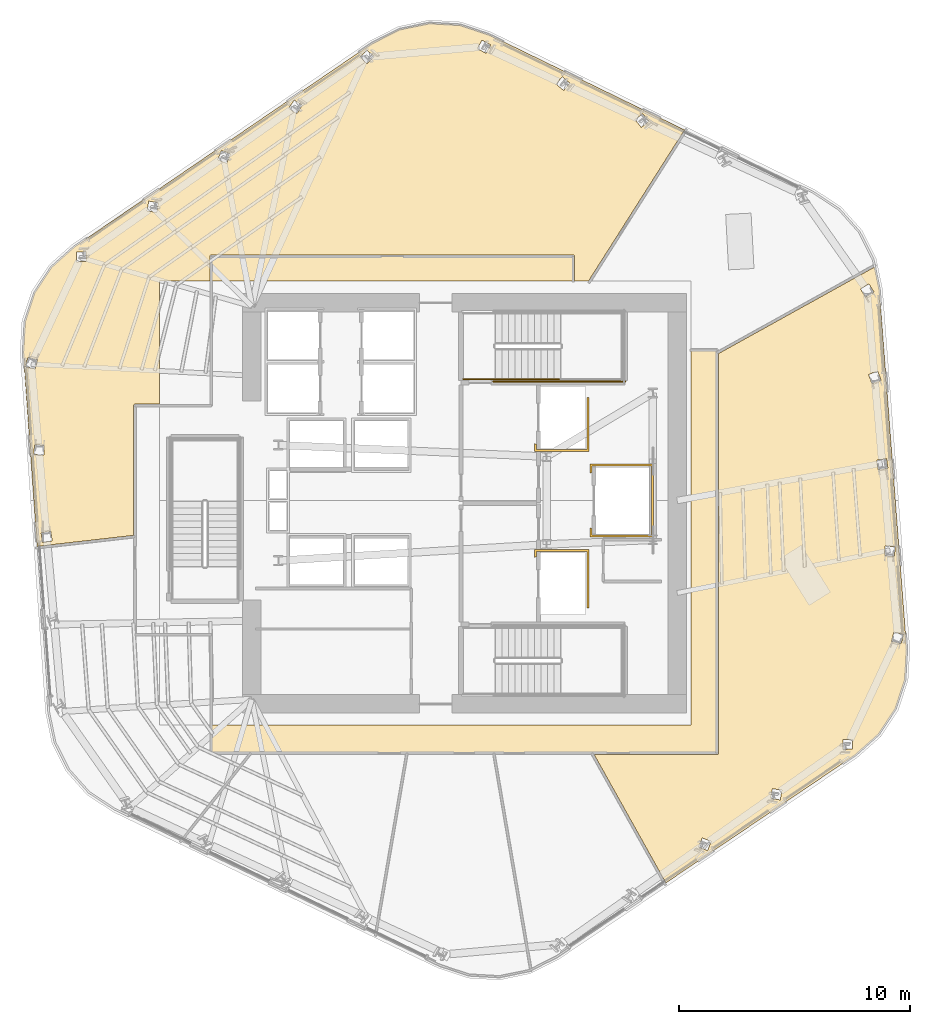
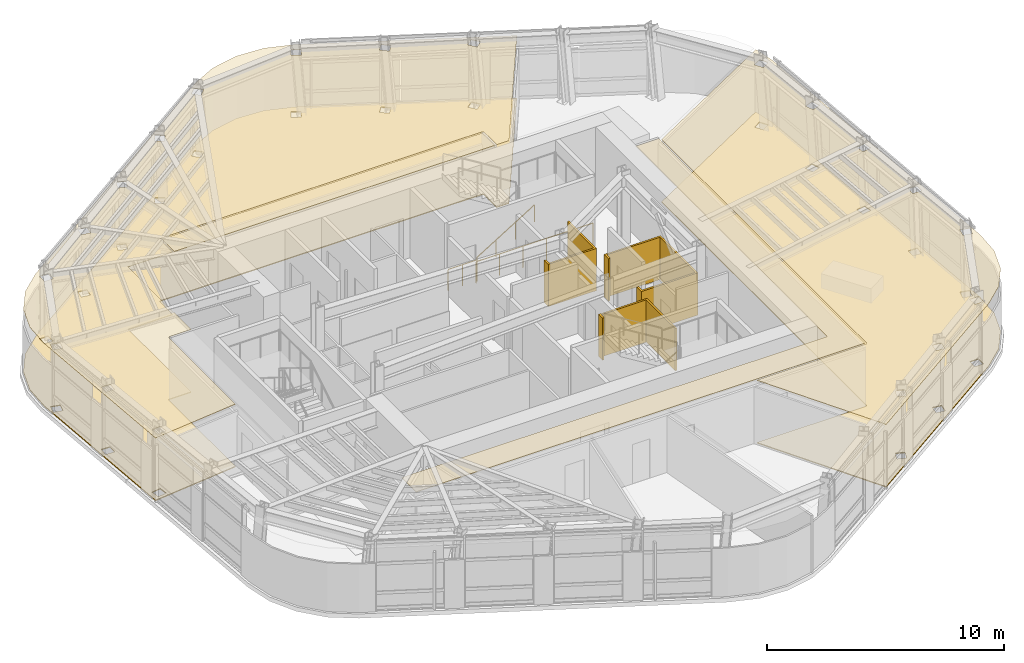
# One storey, part 12 of 15: 9 coverings, 3 railings.
"""IFC4 building model written with IfcOpenShell, lengths in metres."""

from ifc_helpers import new_model, si_unit, direction, frame, origin, origin_2d, place, context, subcontext, project, spatial, polyline, circle, outline, extrude, material, layer, layer_set, type_object, element, save


model = new_model("IFC4")

# Units and contexts
model_context = context("Model", 3, precision=1e-05, world=origin(), true_north=direction((0.0, 1.0)))
body_context = subcontext(model_context, "Body", "Model", "MODEL_VIEW")
ifc_project = project(units=[si_unit("LENGTHUNIT", "METRE"), si_unit("AREAUNIT", "SQUARE_METRE"), si_unit("VOLUMEUNIT", "CUBIC_METRE"), si_unit("PLANEANGLEUNIT", "RADIAN"), si_unit("MASSUNIT", "GRAM", prefix="KILO")], contexts=[model_context])

# Site, building, storey
site_placement = place(None, origin())
site = spatial("IfcSite", under=ifc_project, at=site_placement, CompositionType="ELEMENT")
building_placement = place(site_placement, origin())
building = spatial("IfcBuilding", under=site, at=building_placement, Name="Valkerne Bourse Tower", CompositionType="ELEMENT")
storey_placement = place(building_placement, frame((0.0, 0.0, 170.39990234375)))
storey = spatial("IfcBuildingStorey", under=building, at=storey_placement, Name="L43", CompositionType="ELEMENT", Elevation=170.39990234375)

# Coverings
ifc_material_1 = material(Name="Mineral Fiber Acoustic Ceiling Tile", Category="acoustic")
ifc_layer_1 = layer(ifc_material_1, 0.02490234375)
ifc_layer_set_1 = layer_set([ifc_layer_1], Name="Mineral Fiber Acoustic Ceiling Tile")
covering_type_1 = type_object("IfcCoveringType", Name="COV-CEIL-ACT", PredefinedType="CEILING", material=ifc_layer_set_1)
covering_1_placement = place(storey_placement, frame((0.0, 0.0, 3.22998046875)))
element("IfcCovering", 1, at=covering_1_placement, inside=storey, type_object=covering_type_1, Name="L43 Suspended Ceiling 09", PredefinedType="CEILING", context=body_context, shape_type="SweptSolid", body=[
    extrude(outline(polyline([(64.70947265625, 16.88916015625), (63.71728515625, 16.005126953125), (55.51171875, 10.459716796875), (52.4091796875, 16.010986328125), (57.720458984375, 16.010986328125), (57.755126953125, 16.0205078125), (57.779541015625, 16.044921875), (57.7890625, 16.07958984375), (57.7890625, 33.358154296875), (64.5400390625, 37.101318359375), (64.741943359375, 36.126708984375), (65.9248046875, 20.571533203125), (65.84814453125, 19.244873046875), (65.433837890625, 17.991943359375), (64.70947265625, 16.88916015625)]), holes=[polyline([(57.31640625, 11.860595703125), (57.46875, 12.256103515625), (57.082763671875, 12.406005859375), (57.080810546875, 12.404541015625), (56.92822265625, 12.009033203125), (57.314208984375, 11.859130859375), (57.31640625, 11.860595703125)]), polyline([(60.459228515625, 14.0517578125), (60.528076171875, 14.4697265625), (60.11962890625, 14.5380859375), (60.117919921875, 14.5361328125), (60.049072265625, 14.117919921875), (60.45751953125, 14.0498046875), (60.459228515625, 14.0517578125)]), polyline([(63.592041015625, 16.24951171875), (63.580810546875, 16.673095703125), (63.1669921875, 16.6630859375), (63.165283203125, 16.660888671875), (63.176513671875, 16.2373046875), (63.590576171875, 16.2470703125), (63.592041015625, 16.24951171875)]), polyline([(65.78369140625, 21.209716796875), (65.37109375, 21.310546875), (65.3701171875, 21.3076171875), (65.2724609375, 20.906494140625), (65.684814453125, 20.8056640625), (65.685791015625, 20.80859375), (65.78369140625, 21.209716796875)]), polyline([(65.423828125, 25.01171875), (65.0, 25.033203125), (64.99951171875, 25.030517578125), (64.97900390625, 24.617919921875), (65.40283203125, 24.596435546875), (65.4033203125, 24.59912109375), (65.423828125, 25.01171875)]), polyline([(65.116455078125, 28.398681640625), (65.1162109375, 28.4013671875), (65.052490234375, 28.809814453125), (64.633056640625, 28.744384765625), (64.63330078125, 28.74169921875), (64.697021484375, 28.33349609375), (65.116455078125, 28.398681640625)]), polyline([(64.81982421875, 32.208251953125), (64.819091796875, 32.2109375), (64.673828125, 32.59765625), (64.2763671875, 32.448486328125), (64.277099609375, 32.44580078125), (64.42236328125, 32.05908203125), (64.81982421875, 32.208251953125)]), polyline([(64.510986328125, 36.018310546875), (64.509765625, 36.020751953125), (64.29443359375, 36.373291015625), (63.931884765625, 36.152099609375), (63.93310546875, 36.149658203125), (64.148681640625, 35.797119140625), (64.510986328125, 36.018310546875)])]), origin(), (0.0, 0.0, 1.0), 0.025146484375),
])
covering_2_placement = place(storey_placement, frame((0.0, 0.0, 3.22998046875)))
element("IfcCovering", 2, at=covering_2_placement, inside=storey, type_object=covering_type_1, Name="L43 Suspended Ceiling 10", PredefinedType="CEILING", context=body_context, shape_type="SweptSolid", body=[
    extrude(outline(polyline([(28.208251953125, 35.98779296875), (28.9326171875, 37.090576171875), (29.925048828125, 37.974853515625), (42.804931640625, 46.77685546875), (43.9921875, 47.373779296875), (45.2841796875, 47.641357421875), (46.6015625, 47.5654296875), (47.86328125, 47.148193359375), (56.320556640625, 43.03271484375), (52.168212890625, 36.5), (51.569091796875, 36.5), (51.56884765625, 37.564697265625), (51.547119140625, 37.61083984375), (51.50439453125, 37.62890625), (35.849365234375, 37.62890625), (35.809326171875, 37.615966796875), (35.787841796875, 37.590087890625), (35.781005859375, 37.560546875), (35.781005859375, 36.5), (33.60009765625, 36.5), (33.60009765625, 31.1689453125), (32.549560546875, 31.1689453125), (32.514892578125, 31.15966796875), (32.490478515625, 31.135009765625), (32.48095703125, 31.1005859375), (32.48095703125, 25.4931640625), (28.3115234375, 25.01708984375), (27.71728515625, 33.40771484375), (27.793701171875, 34.73486328125), (28.208251953125, 35.98779296875)]), holes=[polyline([(28.966796875, 25.25830078125), (28.903076171875, 25.66650390625), (28.4833984375, 25.601318359375), (28.483642578125, 25.5986328125), (28.54736328125, 25.190185546875), (28.967041015625, 25.255615234375), (28.966796875, 25.25830078125)]), polyline([(28.62109375, 29.382080078125), (28.197021484375, 29.403564453125), (28.19677734375, 29.40087890625), (28.176025390625, 28.98828125), (28.60009765625, 28.966796875), (28.6005859375, 28.969482421875), (28.62109375, 29.382080078125)]), polyline([(28.327392578125, 33.093505859375), (27.9150390625, 33.1943359375), (27.914306640625, 33.19140625), (27.81640625, 32.790283203125), (28.22900390625, 32.689453125), (28.229736328125, 32.6923828125), (28.327392578125, 33.093505859375)]), polyline([(30.434814453125, 37.339111328125), (30.42333984375, 37.7626953125), (30.009521484375, 37.7529296875), (30.008056640625, 37.75048828125), (30.019287109375, 37.326904296875), (30.43310546875, 37.3369140625), (30.434814453125, 37.339111328125)]), polyline([(33.55078125, 39.882080078125), (33.142578125, 39.9501953125), (33.140625, 39.9482421875), (33.072021484375, 39.5302734375), (33.480224609375, 39.4619140625), (33.482177734375, 39.4638671875), (33.55078125, 39.882080078125)]), polyline([(36.519287109375, 41.595458984375), (36.671875, 41.990966796875), (36.285888671875, 42.140869140625), (36.28369140625, 42.139404296875), (36.131103515625, 41.743896484375), (36.51708984375, 41.593994140625), (36.519287109375, 41.595458984375)]), polyline([(54.771484375, 43.4033203125), (54.506103515625, 43.733642578125), (54.503662109375, 43.73486328125), (54.181396484375, 43.474609375), (54.44677734375, 43.144287109375), (54.44921875, 43.143310546875), (54.771484375, 43.4033203125)]), polyline([(39.5517578125, 43.73828125), (39.781494140625, 44.094482421875), (39.43408203125, 44.31982421875), (39.431640625, 44.31884765625), (39.201904296875, 43.962646484375), (39.54931640625, 43.7373046875), (39.5517578125, 43.73828125)]), polyline([(51.02880859375, 45.328857421875), (51.02587890625, 45.32958984375), (50.763427734375, 45.00927734375), (51.09033203125, 44.739990234375), (51.093017578125, 44.7392578125), (51.355712890625, 45.0595703125), (51.02880859375, 45.328857421875)]), polyline([(42.878662109375, 46.2001953125), (42.580078125, 46.48681640625), (42.577392578125, 46.486328125), (42.284912109375, 46.1796875), (42.58349609375, 45.89306640625), (42.586181640625, 45.893798828125), (42.878662109375, 46.2001953125)]), polyline([(47.55712890625, 46.91357421875), (47.55419921875, 46.91357421875), (47.356689453125, 46.5498046875), (47.728271484375, 46.3466796875), (47.731201171875, 46.346435546875), (47.9287109375, 46.71044921875), (47.55712890625, 46.91357421875)])]), origin(), (0.0, 0.0, 1.0), 0.025146484375),
])
ifc_material_2 = material(Name="Bronze Anodised Aluminium AA 6063-T6", Category="aluminium")
ifc_layer_2 = layer(ifc_material_2, 0.030029296875)
ifc_layer_set_2 = layer_set([ifc_layer_2], Name="Bronze Anodised Aluminium AA 6063-T6")
covering_type_2 = type_object("IfcCoveringType", Name="COV-CEIL-METAL", PredefinedType="CEILING", material=ifc_layer_set_2)
covering_3_placement = place(storey_placement, frame((0.0, 0.0, 3.22998046875)))
element("IfcCovering", 3, at=covering_3_placement, inside=storey, type_object=covering_type_2, Name="L43 Suspended Ceiling 01", PredefinedType="CEILING", context=body_context, shape_type="SweptSolid", body=[
    extrude(outline(polyline([(35.85400390625, 17.300048828125), (56.60009765625, 17.300048828125), (56.60009765625, 33.49609375), (57.716064453125, 33.49609375), (57.716064453125, 16.083984375), (35.85400390625, 16.083984375), (35.85400390625, 17.300048828125)])), origin(), (0.0, 0.0, 1.0), 0.025146484375),
])
covering_4_placement = place(storey_placement, frame((0.0, 0.0, 3.22998046875)))
element("IfcCovering", 4, at=covering_4_placement, inside=storey, type_object=covering_type_2, Name="L43 Suspended Ceiling 03", PredefinedType="CEILING", context=body_context, shape_type="SweptSolid", body=[
    extrude(outline(polyline([(35.85400390625, 37.555908203125), (51.49609375, 37.555908203125), (51.49609375, 36.5), (35.85400390625, 36.5), (35.85400390625, 37.555908203125)])), origin(), (0.0, 0.0, 1.0), 0.025146484375),
])
ifc_material_3 = material(Name="Galvanised Painted Steel", Category="steel")
ifc_layer_3 = layer(ifc_material_3, 0.044921875)
ifc_layer_set_3 = layer_set([ifc_layer_3], Name="Galvanised Painted Steel")
covering_type_3 = type_object("IfcCoveringType", Name="COV-FLR-RAF", PredefinedType="FLOORING", material=ifc_layer_set_3)
covering_5_placement = place(storey_placement, origin())
element("IfcCovering", 5, at=covering_5_placement, inside=storey, type_object=covering_type_3, Name="L43 Floor Finish 09", PredefinedType="FLOORING", context=body_context, shape_type="SweptSolid", body=[
    extrude(outline(polyline([(64.70947265625, 16.88916015625), (63.71728515625, 16.005126953125), (55.51171875, 10.459716796875), (52.4091796875, 16.010986328125), (57.720458984375, 16.010986328125), (57.755126953125, 16.0205078125), (57.779541015625, 16.044921875), (57.7890625, 16.07958984375), (57.7890625, 33.358154296875), (64.5400390625, 37.101318359375), (64.741943359375, 36.126708984375), (65.9248046875, 20.571533203125), (65.84814453125, 19.244873046875), (65.433837890625, 17.991943359375), (64.70947265625, 16.88916015625)]), holes=[polyline([(57.31640625, 11.860595703125), (57.46875, 12.256103515625), (57.082763671875, 12.406005859375), (57.080810546875, 12.404541015625), (56.92822265625, 12.009033203125), (57.314208984375, 11.859130859375), (57.31640625, 11.860595703125)]), polyline([(60.459228515625, 14.0517578125), (60.528076171875, 14.4697265625), (60.11962890625, 14.5380859375), (60.117919921875, 14.5361328125), (60.049072265625, 14.117919921875), (60.45751953125, 14.0498046875), (60.459228515625, 14.0517578125)]), polyline([(63.592041015625, 16.24951171875), (63.580810546875, 16.673095703125), (63.1669921875, 16.6630859375), (63.165283203125, 16.660888671875), (63.176513671875, 16.2373046875), (63.590576171875, 16.2470703125), (63.592041015625, 16.24951171875)]), polyline([(65.78369140625, 21.209716796875), (65.37109375, 21.310546875), (65.3701171875, 21.3076171875), (65.2724609375, 20.906494140625), (65.684814453125, 20.8056640625), (65.685791015625, 20.80859375), (65.78369140625, 21.209716796875)]), polyline([(65.423828125, 25.01171875), (65.0, 25.033203125), (64.99951171875, 25.030517578125), (64.97900390625, 24.617919921875), (65.40283203125, 24.596435546875), (65.4033203125, 24.59912109375), (65.423828125, 25.01171875)]), polyline([(65.116455078125, 28.398681640625), (65.1162109375, 28.4013671875), (65.052490234375, 28.809814453125), (64.633056640625, 28.744384765625), (64.63330078125, 28.74169921875), (64.697021484375, 28.33349609375), (65.116455078125, 28.398681640625)]), polyline([(64.81982421875, 32.208251953125), (64.819091796875, 32.2109375), (64.673828125, 32.59765625), (64.2763671875, 32.448486328125), (64.277099609375, 32.44580078125), (64.42236328125, 32.05908203125), (64.81982421875, 32.208251953125)]), polyline([(64.510986328125, 36.018310546875), (64.509765625, 36.020751953125), (64.29443359375, 36.373291015625), (63.931884765625, 36.152099609375), (63.93310546875, 36.149658203125), (64.148681640625, 35.797119140625), (64.510986328125, 36.018310546875)])]), origin(), (0.0, 0.0, 1.0), 0.045166015625),
])
covering_6_placement = place(storey_placement, origin())
element("IfcCovering", 6, at=covering_6_placement, inside=storey, type_object=covering_type_3, Name="L43 Floor Finish 10", PredefinedType="FLOORING", context=body_context, shape_type="SweptSolid", body=[
    extrude(outline(polyline([(28.208251953125, 35.98779296875), (28.9326171875, 37.090576171875), (29.925048828125, 37.974853515625), (42.804931640625, 46.77685546875), (43.9921875, 47.373779296875), (45.2841796875, 47.641357421875), (46.6015625, 47.5654296875), (47.86328125, 47.148193359375), (56.320556640625, 43.03271484375), (52.168212890625, 36.5), (51.569091796875, 36.5), (51.56884765625, 37.564697265625), (51.547119140625, 37.61083984375), (51.50439453125, 37.62890625), (35.849365234375, 37.62890625), (35.809326171875, 37.615966796875), (35.787841796875, 37.590087890625), (35.781005859375, 37.560546875), (35.781005859375, 36.5), (33.60009765625, 36.5), (33.60009765625, 31.1689453125), (32.549560546875, 31.1689453125), (32.514892578125, 31.15966796875), (32.490478515625, 31.135009765625), (32.48095703125, 31.1005859375), (32.48095703125, 25.4931640625), (28.3115234375, 25.01708984375), (27.71728515625, 33.40771484375), (27.793701171875, 34.73486328125), (28.208251953125, 35.98779296875)]), holes=[polyline([(28.966796875, 25.25830078125), (28.903076171875, 25.66650390625), (28.4833984375, 25.601318359375), (28.483642578125, 25.5986328125), (28.54736328125, 25.190185546875), (28.967041015625, 25.255615234375), (28.966796875, 25.25830078125)]), polyline([(28.62109375, 29.382080078125), (28.197021484375, 29.403564453125), (28.19677734375, 29.40087890625), (28.176025390625, 28.98828125), (28.60009765625, 28.966796875), (28.6005859375, 28.969482421875), (28.62109375, 29.382080078125)]), polyline([(28.327392578125, 33.093505859375), (27.9150390625, 33.1943359375), (27.914306640625, 33.19140625), (27.81640625, 32.790283203125), (28.22900390625, 32.689453125), (28.229736328125, 32.6923828125), (28.327392578125, 33.093505859375)]), polyline([(30.434814453125, 37.339111328125), (30.42333984375, 37.7626953125), (30.009521484375, 37.7529296875), (30.008056640625, 37.75048828125), (30.019287109375, 37.326904296875), (30.43310546875, 37.3369140625), (30.434814453125, 37.339111328125)]), polyline([(33.55078125, 39.882080078125), (33.142578125, 39.9501953125), (33.140625, 39.9482421875), (33.072021484375, 39.5302734375), (33.480224609375, 39.4619140625), (33.482177734375, 39.4638671875), (33.55078125, 39.882080078125)]), polyline([(36.519287109375, 41.595458984375), (36.671875, 41.990966796875), (36.285888671875, 42.140869140625), (36.28369140625, 42.139404296875), (36.131103515625, 41.743896484375), (36.51708984375, 41.593994140625), (36.519287109375, 41.595458984375)]), polyline([(54.771484375, 43.4033203125), (54.506103515625, 43.733642578125), (54.503662109375, 43.73486328125), (54.181396484375, 43.474609375), (54.44677734375, 43.144287109375), (54.44921875, 43.143310546875), (54.771484375, 43.4033203125)]), polyline([(39.5517578125, 43.73828125), (39.781494140625, 44.094482421875), (39.43408203125, 44.31982421875), (39.431640625, 44.31884765625), (39.201904296875, 43.962646484375), (39.54931640625, 43.7373046875), (39.5517578125, 43.73828125)]), polyline([(51.02880859375, 45.328857421875), (51.02587890625, 45.32958984375), (50.763427734375, 45.00927734375), (51.09033203125, 44.739990234375), (51.093017578125, 44.7392578125), (51.355712890625, 45.0595703125), (51.02880859375, 45.328857421875)]), polyline([(42.878662109375, 46.2001953125), (42.580078125, 46.48681640625), (42.577392578125, 46.486328125), (42.284912109375, 46.1796875), (42.58349609375, 45.89306640625), (42.586181640625, 45.893798828125), (42.878662109375, 46.2001953125)]), polyline([(47.55712890625, 46.91357421875), (47.55419921875, 46.91357421875), (47.356689453125, 46.5498046875), (47.728271484375, 46.3466796875), (47.731201171875, 46.346435546875), (47.9287109375, 46.71044921875), (47.55712890625, 46.91357421875)])]), origin(), (0.0, 0.0, 1.0), 0.045166015625),
])
ifc_material_4 = material(Name="Gypsum Shaftwall Liner Board", Category="gypsum")
ifc_layer_4 = layer(ifc_material_4, 0.080078125)
ifc_layer_set_4 = layer_set([ifc_layer_4], Name="Gypsum Shaftwall Liner Board")
covering_type_4 = type_object("IfcCoveringType", Name="COV-SHF-CLAD", PredefinedType="CLADDING", material=ifc_layer_set_4)
covering_7_placement = place(storey_placement, origin())
element("IfcCovering", 7, at=covering_7_placement, inside=storey, type_object=covering_type_4, Name="L43 Hoistway & Riser Shaftwall Liner 05", PredefinedType="CLADDING", context=body_context, shape_type="SweptSolid", body=[
    extrude(outline(polyline([(52.179931640625, 22.35009765625), (52.090087890625, 22.35009765625), (52.090087890625, 24.7900390625), (49.909912109375, 24.7900390625), (49.909912109375, 24.560791015625), (49.869384765625, 24.550537109375), (49.827880859375, 24.53564453125), (49.820068359375, 24.531982421875), (49.820068359375, 24.8798828125), (52.179931640625, 24.8798828125), (52.179931640625, 22.35009765625)])), origin(), (0.0, 0.0, 1.0), 2.18017578125),
])
covering_8_placement = place(storey_placement, origin())
element("IfcCovering", 8, at=covering_8_placement, inside=storey, type_object=covering_type_4, Name="L43 Hoistway & Riser Shaftwall Liner 06", PredefinedType="CLADDING", context=body_context, shape_type="SweptSolid", body=[
    extrude(outline(polyline([(54.97998046875, 25.419921875), (52.219970703125, 25.419921875), (52.219970703125, 25.81787109375), (52.227783203125, 25.814208984375), (52.269287109375, 25.79931640625), (52.31005859375, 25.789306640625), (52.31005859375, 25.510009765625), (54.889892578125, 25.510009765625), (54.889892578125, 28.489990234375), (52.31005859375, 28.489990234375), (52.31005859375, 28.210693359375), (52.269287109375, 28.20068359375), (52.227783203125, 28.185791015625), (52.219970703125, 28.18212890625), (52.219970703125, 28.580078125), (54.97998046875, 28.580078125), (54.97998046875, 25.419921875)])), origin(), (0.0, 0.0, 1.0), 2.18017578125),
])
covering_9_placement = place(storey_placement, origin())
element("IfcCovering", 9, at=covering_9_placement, inside=storey, type_object=covering_type_4, Name="L43 Hoistway & Riser Shaftwall Liner 08", PredefinedType="CLADDING", context=body_context, shape_type="SweptSolid", body=[
    extrude(outline(polyline([(49.820068359375, 29.1201171875), (49.820068359375, 29.468017578125), (49.827880859375, 29.46435546875), (49.869384765625, 29.449462890625), (49.909912109375, 29.439208984375), (49.909912109375, 29.2099609375), (52.090087890625, 29.2099609375), (52.090087890625, 31.449951171875), (52.179931640625, 31.449951171875), (52.179931640625, 29.1201171875), (49.820068359375, 29.1201171875)])), origin(), (0.0, 0.0, 1.0), 2.18017578125),
])

# Railings
railing_type_1 = type_object("IfcRailingType", Name="RLG-ST-GUARD-1120", PredefinedType="GUARDRAIL", material=ifc_material_3)
railing_1_placement = place(storey_placement, frame((46.75, 32.25, 0.0)))
element("IfcRailing", 10, at=railing_1_placement, inside=storey, type_object=railing_type_1, Name="L43 ST-2 stair guard 8", PredefinedType="GUARDRAIL", context=body_context, shape_type="SweptSolid", body=[
    extrude(circle(Radius=0.02392578125, at=origin_2d()), frame((0.0, 0.0, 1.09619140625), z_axis=(1.0, 0.0, 0.0), x_axis=(0.0, 1.0, 0.0)), (0.0, 0.0, 1.0), 1.39990234375),
    extrude(circle(Radius=0.02099609375, at=origin_2d()), origin(), (0.0, 0.0, 1.0), 1.072021484375),
    extrude(circle(Radius=0.02099609375, at=origin_2d()), frame((0.699951171875, 0.0, 0.0)), (0.0, 0.0, 1.0), 1.072021484375),
    extrude(circle(Radius=0.02099609375, at=origin_2d()), frame((1.39990234375, 0.0, 0.0)), (0.0, 0.0, 1.0), 1.072021484375),
])
railing_2_placement = place(storey_placement, frame((48.050048828125, 32.14990234375, 0.0)))
element("IfcRailing", 11, at=railing_2_placement, inside=storey, type_object=railing_type_1, Name="L43 ST-2 stair guard 10", PredefinedType="GUARDRAIL", context=body_context, shape_type="SweptSolid", body=[
    extrude(circle(Radius=0.02392578125, at=origin_2d()), frame((0.0, 0.0, 1.09619140625), z_axis=(1.0, 0.0, 0.0), x_axis=(0.0, 1.0, 0.0)), (0.0, 0.0, 1.0), 5.699951171875),
    extrude(circle(Radius=0.02099609375, at=origin_2d()), origin(), (0.0, 0.0, 1.0), 1.072021484375),
    extrude(circle(Radius=0.02099609375, at=origin_2d()), frame((1.139892578125, 0.0, 0.0)), (0.0, 0.0, 1.0), 1.072021484375),
    extrude(circle(Radius=0.02099609375, at=origin_2d()), frame((2.280029296875, 0.0, 0.0)), (0.0, 0.0, 1.0), 1.072021484375),
    extrude(circle(Radius=0.02099609375, at=origin_2d()), frame((3.419921875, 0.0, 0.0)), (0.0, 0.0, 1.0), 1.072021484375),
    extrude(circle(Radius=0.02099609375, at=origin_2d()), frame((4.56005859375, 0.0, 0.0)), (0.0, 0.0, 1.0), 1.072021484375),
    extrude(circle(Radius=0.02099609375, at=origin_2d()), frame((5.699951171875, 0.0, 0.0)), (0.0, 0.0, 1.0), 1.072021484375),
])
ifc_material_5 = material(Name="Stainless Steel AISI 316", Category="steel")
railing_type_2 = type_object("IfcRailingType", Name="RLG-ST-HANDRAIL-900", PredefinedType="HANDRAIL", material=ifc_material_5)
railing_3_placement = place(storey_placement, frame((48.14990234375, 32.25, 0.345458984375)))
element("IfcRailing", 12, at=railing_3_placement, inside=storey, type_object=railing_type_2, Name="L43 ST-2 stair handrail 1", PredefinedType="HANDRAIL", context=body_context, shape_type="SweptSolid", body=[
    extrude(circle(Radius=0.02392578125, at=origin_2d()), frame((0.0, 0.0, 0.8759765625), z_axis=(0.851089632645, 0.0, 0.525020415988), x_axis=(0.0, 1.0, 0.0)), (0.0, 0.0, 1.0), 3.2900390625),
    extrude(circle(Radius=0.02099609375, at=origin_2d()), origin(), (0.0, 0.0, 1.0), 0.851806640625),
    extrude(circle(Radius=0.02099609375, at=origin_2d()), frame((0.933349609375, 0.0, 0.57568359375)), (0.0, 0.0, 1.0), 0.851806640625),
    extrude(circle(Radius=0.02099609375, at=origin_2d()), frame((1.86669921875, 0.0, 1.151611328125)), (0.0, 0.0, 1.0), 0.851806640625),
    extrude(circle(Radius=0.02099609375, at=origin_2d()), frame((2.800048828125, 0.0, 1.727294921875)), (0.0, 0.0, 1.0), 0.851806640625),
])

save(model, "model.ifc")
